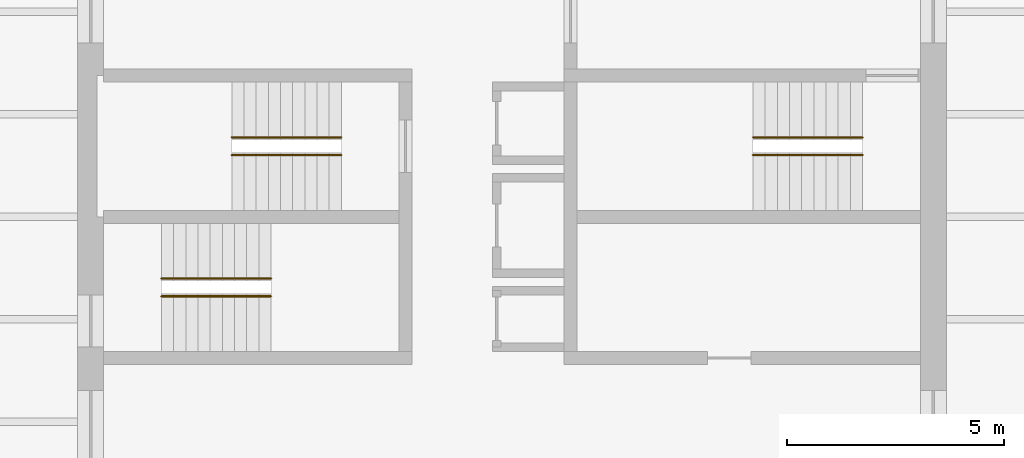
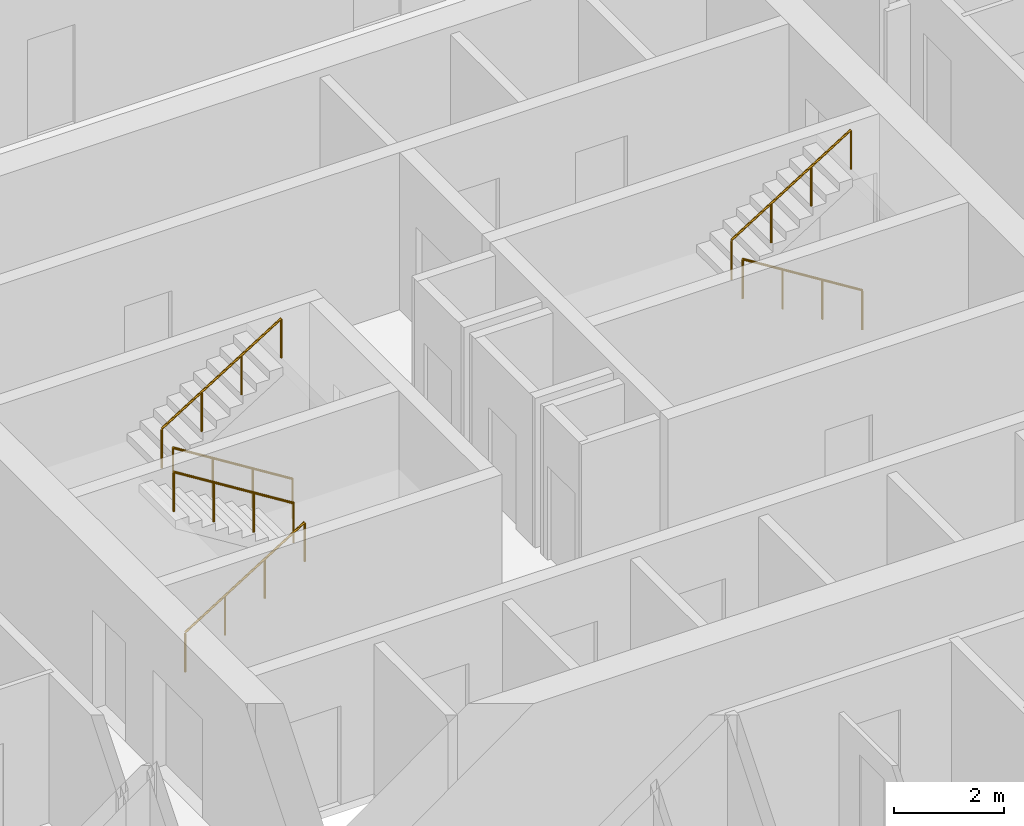
# One storey, part 9 of 9: 6 railings.
"""IFC4 building model written with IfcOpenShell, lengths in metres."""

from ifc_helpers import new_model, si_unit, direction, frame, origin, origin_2d, place, context, subcontext, project, spatial, circle, extrude, material, type_object, element, save


model = new_model("IFC4")

# Units and contexts
model_context = context("Model", 3, precision=1e-05, world=origin(), true_north=direction((0.0, 1.0)))
body_context = subcontext(model_context, "Body", "Model", "MODEL_VIEW")
ifc_project = project(units=[si_unit("LENGTHUNIT", "METRE"), si_unit("AREAUNIT", "SQUARE_METRE"), si_unit("VOLUMEUNIT", "CUBIC_METRE"), si_unit("PLANEANGLEUNIT", "RADIAN"), si_unit("MASSUNIT", "GRAM", prefix="KILO")], contexts=[model_context])

# Site, building, storey
site_placement = place(None, origin())
site = spatial("IfcSite", under=ifc_project, at=site_placement, CompositionType="ELEMENT")
building_placement = place(site_placement, origin())
building = spatial("IfcBuilding", under=site, at=building_placement, Name="Turquesa Mirador Hotel Tower", CompositionType="ELEMENT")
storey_placement = place(building_placement, frame((0.0, 0.0, 186.300048828125)))
storey = spatial("IfcBuildingStorey", under=building, at=storey_placement, Name="L50", CompositionType="ELEMENT", Elevation=186.300048828125)

# Railings
ifc_material = material(Name="Painted steel handrail", Category="steel")
railing_type = type_object("IfcRailingType", Name="HANDRAIL 900 STEEL", PredefinedType="HANDRAIL", material=ifc_material)
railing_1_placement = place(storey_placement, frame((51.070068359375, 46.419921875, 0.175048828125)))
element("IfcRailing", 1, at=railing_1_placement, inside=storey, type_object=railing_type, Name="Handrail ST1", PredefinedType="HANDRAIL", context=body_context, shape_type="SweptSolid", body=[
    extrude(circle(Radius=0.02392578125, at=origin_2d()), frame((0.0, 0.0, 0.8759765625), z_axis=(-0.848007534815, 0.0, 0.529984170421), x_axis=(0.0, -1.0, 0.0)), (0.0, 0.0, 1.0), 2.9716796875),
    extrude(circle(Radius=0.02099609375, at=origin_2d()), origin(), (0.0, 0.0, 1.0), 0.851806640625),
    extrude(circle(Radius=0.02099609375, at=origin_2d()), frame((-0.840087890625, 0.0, 0.52490234375)), (0.0, 0.0, 1.0), 0.851806640625),
    extrude(circle(Radius=0.02099609375, at=origin_2d()), frame((-1.679931640625, 0.0, 1.050048828125)), (0.0, 0.0, 1.0), 0.851806640625),
    extrude(circle(Radius=0.02099609375, at=origin_2d()), frame((-2.52001953125, 0.0, 1.574951171875)), (0.0, 0.0, 1.0), 0.851806640625),
])
for number, where, name in (
    (2, (48.550048828125, 46.830078125, 1.925048828125), "Handrail ST1"),
    (3, (46.929931640625, 43.169921875, 0.175048828125), "Handrail ST2"),
):
    element("IfcRailing", number, at=place(storey_placement, frame(where)), inside=storey, type_object=railing_type, Name=name, PredefinedType="HANDRAIL", context=body_context, shape_type="SweptSolid", body=[
        extrude(circle(Radius=0.02392578125, at=origin_2d()), frame((0.0, 0.0, 0.8759765625), z_axis=(0.848007534815, 0.0, 0.529984170421), x_axis=(0.0, 1.0, 0.0)), (0.0, 0.0, 1.0), 2.9716796875),
        extrude(circle(Radius=0.02099609375, at=origin_2d()), origin(), (0.0, 0.0, 1.0), 0.851806640625),
        extrude(circle(Radius=0.02099609375, at=origin_2d()), frame((0.840087890625, 0.0, 0.52490234375)), (0.0, 0.0, 1.0), 0.851806640625),
        extrude(circle(Radius=0.02099609375, at=origin_2d()), frame((1.679931640625, 0.0, 1.050048828125)), (0.0, 0.0, 1.0), 0.851806640625),
        extrude(circle(Radius=0.02099609375, at=origin_2d()), frame((2.52001953125, 0.0, 1.574951171875)), (0.0, 0.0, 1.0), 0.851806640625),
    ])
for number, where, name in (
    (4, (49.449951171875, 43.580078125, 1.925048828125), "Handrail ST2"),
    (5, (63.070068359375, 46.419921875, 0.175048828125), "Handrail ST3"),
):
    element("IfcRailing", number, at=place(storey_placement, frame(where)), inside=storey, type_object=railing_type, Name=name, PredefinedType="HANDRAIL", context=body_context, shape_type="SweptSolid", body=[
        extrude(circle(Radius=0.02392578125, at=origin_2d()), frame((0.0, 0.0, 0.8759765625), z_axis=(-0.848007534815, 0.0, 0.529984170421), x_axis=(0.0, -1.0, 0.0)), (0.0, 0.0, 1.0), 2.9716796875),
        extrude(circle(Radius=0.02099609375, at=origin_2d()), origin(), (0.0, 0.0, 1.0), 0.851806640625),
        extrude(circle(Radius=0.02099609375, at=origin_2d()), frame((-0.840087890625, 0.0, 0.52490234375)), (0.0, 0.0, 1.0), 0.851806640625),
        extrude(circle(Radius=0.02099609375, at=origin_2d()), frame((-1.679931640625, 0.0, 1.050048828125)), (0.0, 0.0, 1.0), 0.851806640625),
        extrude(circle(Radius=0.02099609375, at=origin_2d()), frame((-2.52001953125, 0.0, 1.574951171875)), (0.0, 0.0, 1.0), 0.851806640625),
    ])
railing_2_placement = place(storey_placement, frame((60.550048828125, 46.830078125, 1.925048828125)))
element("IfcRailing", 6, at=railing_2_placement, inside=storey, type_object=railing_type, Name="Handrail ST3", PredefinedType="HANDRAIL", context=body_context, shape_type="SweptSolid", body=[
    extrude(circle(Radius=0.02392578125, at=origin_2d()), frame((0.0, 0.0, 0.8759765625), z_axis=(0.848007534815, 0.0, 0.529984170421), x_axis=(0.0, 1.0, 0.0)), (0.0, 0.0, 1.0), 2.9716796875),
    extrude(circle(Radius=0.02099609375, at=origin_2d()), origin(), (0.0, 0.0, 1.0), 0.851806640625),
    extrude(circle(Radius=0.02099609375, at=origin_2d()), frame((0.840087890625, 0.0, 0.52490234375)), (0.0, 0.0, 1.0), 0.851806640625),
    extrude(circle(Radius=0.02099609375, at=origin_2d()), frame((1.679931640625, 0.0, 1.050048828125)), (0.0, 0.0, 1.0), 0.851806640625),
    extrude(circle(Radius=0.02099609375, at=origin_2d()), frame((2.52001953125, 0.0, 1.574951171875)), (0.0, 0.0, 1.0), 0.851806640625),
])

save(model, "model.ifc")
